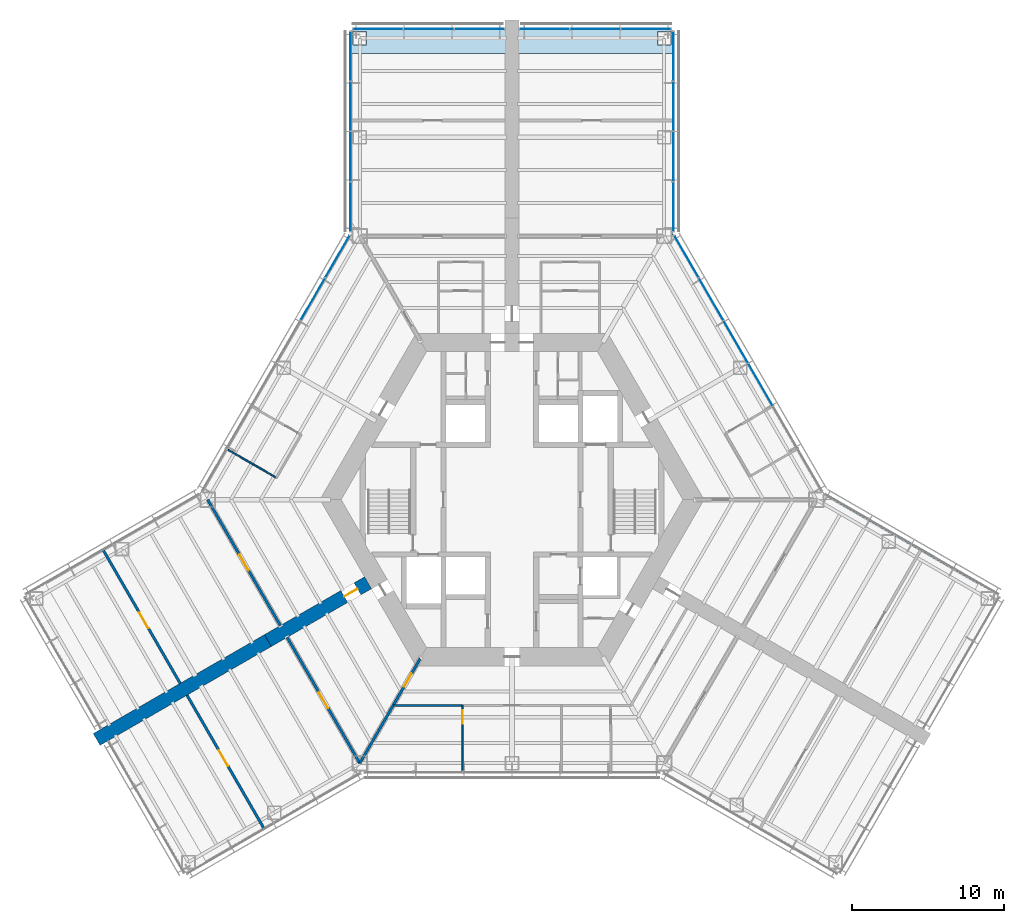
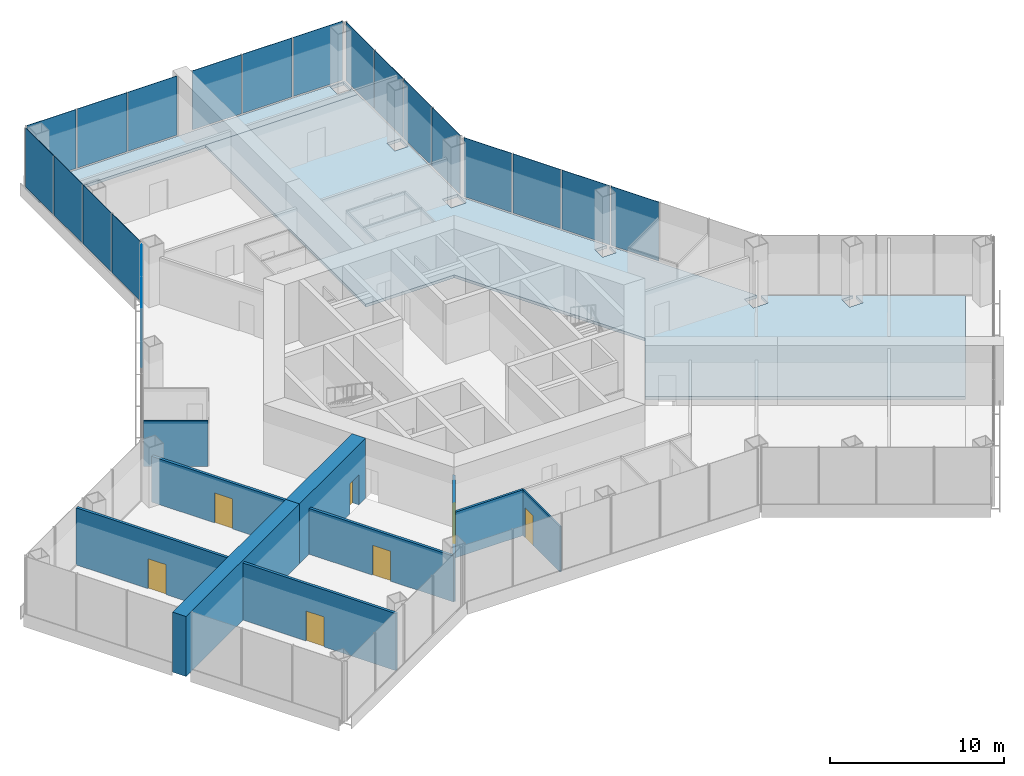
# One storey, part 10 of 16: 20 plates, 10 walls, 7 doors, 2 slabs, 7 openings, 6 elements without a shape of their own.
"""IFC4 building model written with IfcOpenShell, lengths in metres."""

from ifc_helpers import new_model, si_unit, direction, frame, frame_2d, origin, origin_2d, place, context, subcontext, project, spatial, polyline, rectangle, outline, extrude, material, layer, layer_set, type_object, element, fill, aggregate, save


model = new_model("IFC4")

# Units and contexts
model_context = context("Model", 3, precision=1e-05, world=origin(), true_north=direction((0.0, 1.0)))
body_context = subcontext(model_context, "Body", "Model", "MODEL_VIEW")
ifc_project = project(units=[si_unit("LENGTHUNIT", "METRE"), si_unit("AREAUNIT", "SQUARE_METRE"), si_unit("VOLUMEUNIT", "CUBIC_METRE"), si_unit("PLANEANGLEUNIT", "RADIAN"), si_unit("MASSUNIT", "GRAM", prefix="KILO")], contexts=[model_context])

# Site, building, storey
site_placement = place(None, origin())
site = spatial("IfcSite", under=ifc_project, at=site_placement, CompositionType="ELEMENT")
building_placement = place(site_placement, origin())
building = spatial("IfcBuilding", under=site, at=building_placement, Name="Kasaneha Research Tower", CompositionType="ELEMENT")
storey_placement = place(building_placement, frame((0.0, 0.0, 22.60009765625)))
storey = spatial("IfcBuildingStorey", under=building, at=storey_placement, Name="L06", CompositionType="ELEMENT", Elevation=22.60009765625)

# Curtain wall, plates
ifc_material_1 = material(Name="Glass and aluminium", Category="aluminium")
curtain_wall_type = type_object("IfcCurtainWallType", Name="Wet laboratory curtain wall", PredefinedType="USERDEFINED", material=ifc_material_1)
curtain_wall_1_placement = place(storey_placement, origin())
curtain_wall_1 = element("IfcCurtainWall", 1, at=curtain_wall_1_placement, inside=storey, type_object=curtain_wall_type, Name="CW-L1 L06 run 07a", ObjectType="UNITISED CURTAIN WALL", PredefinedType="USERDEFINED")
ifc_material_2 = material(Name="Laminated double glazing", Category="glass")
ifc_layer_1 = layer(ifc_material_2, 0.030029296875)
ifc_layer_set_1 = layer_set([ifc_layer_1], Name="CW-L1 glazed panel")
plate_type = type_object("IfcPlateType", Name="CW-L1 glazed panel", PredefinedType="CURTAIN_PANEL", material=ifc_layer_set_1)
plate_1_placement = place(storey_placement, frame((16.331298828125, 7.554443359375, 0.06494140625), z_axis=(0.0, 0.0, 1.0), x_axis=(-0.49999996188, 0.866025425793, 0.0)))
plate_1 = element("IfcPlate", 2, at=plate_1_placement, type_object=plate_type, Name="CW-L1 panel 3", PredefinedType="CURTAIN_PANEL", context=body_context, shape_type="SweptSolid", body=[
    extrude(rectangle(XDim=3.181396484375, YDim=0.030029296875, at=origin_2d()), origin(), (0.0, 0.0, 1.0), 4.135009765625),
])
plate_2_placement = place(storey_placement, frame((14.7080078125, 10.365966796875, 0.06494140625), z_axis=(0.0, 0.0, 1.0), x_axis=(-0.49999996188, 0.866025425793, 0.0)))
plate_2 = element("IfcPlate", 3, at=plate_2_placement, type_object=plate_type, Name="CW-L1 panel 4", PredefinedType="CURTAIN_PANEL", context=body_context, shape_type="SweptSolid", body=[
    extrude(rectangle(XDim=3.181396484375, YDim=0.030029296875, at=origin_2d()), origin(), (0.0, 0.0, 1.0), 4.135009765625),
])
plate_3_placement = place(storey_placement, frame((13.084716796875, 13.177490234375, 0.06494140625), z_axis=(0.0, 0.0, 1.0), x_axis=(-0.49999996188, 0.866025425793, 0.0)))
plate_3 = element("IfcPlate", 4, at=plate_3_placement, type_object=plate_type, Name="CW-L1 panel 5", PredefinedType="CURTAIN_PANEL", context=body_context, shape_type="SweptSolid", body=[
    extrude(rectangle(XDim=3.181396484375, YDim=0.030029296875, at=origin_2d()), origin(), (0.0, 0.0, 1.0), 4.135009765625),
])
plate_4_placement = place(storey_placement, frame((11.4697265625, 15.974853515625, 0.06494140625), z_axis=(0.0, 0.0, 1.0), x_axis=(-0.49999996188, 0.866025425793, 0.0)))
plate_4 = element("IfcPlate", 5, at=plate_4_placement, type_object=plate_type, Name="CW-L1 panel 6", PredefinedType="CURTAIN_PANEL", context=body_context, shape_type="SweptSolid", body=[
    extrude(rectangle(XDim=3.14892578125, YDim=0.030029296875, at=origin_2d()), origin(), (0.0, 0.0, 1.0), 4.135009765625),
])
aggregate(curtain_wall_1, [plate_1, plate_2, plate_3, plate_4])

curtain_wall_2_placement = place(storey_placement, origin())
curtain_wall_2 = element("IfcCurtainWall", 6, at=curtain_wall_2_placement, inside=storey, type_object=curtain_wall_type, Name="CW-L1 L06 run 08a", ObjectType="UNITISED CURTAIN WALL", PredefinedType="USERDEFINED")
plate_5_placement = place(storey_placement, frame((10.60009765625, 19.25244140625, 0.06494140625), z_axis=(0.0, 0.0, 1.0), x_axis=(0.0, 1.0, 0.0)))
plate_5 = element("IfcPlate", 7, at=plate_5_placement, type_object=plate_type, Name="CW-L1 panel 1", PredefinedType="CURTAIN_PANEL", context=body_context, shape_type="SweptSolid", body=[
    extrude(rectangle(XDim=3.21240234375, YDim=0.030029296875, at=origin_2d()), origin(), (0.0, 0.0, 1.0), 4.135009765625),
])
plate_6_placement = place(storey_placement, frame((10.60009765625, 22.5458984375, 0.06494140625), z_axis=(0.0, 0.0, 1.0), x_axis=(0.0, 1.0, 0.0)))
plate_6 = element("IfcPlate", 8, at=plate_6_placement, type_object=plate_type, Name="CW-L1 panel 2", PredefinedType="CURTAIN_PANEL", context=body_context, shape_type="SweptSolid", body=[
    extrude(rectangle(XDim=3.244873046875, YDim=0.030029296875, at=origin_2d()), origin(), (0.0, 0.0, 1.0), 4.135009765625),
])
plate_7_placement = place(storey_placement, frame((10.60009765625, 25.855712890625, 0.06494140625), z_axis=(0.0, 0.0, 1.0), x_axis=(0.0, 1.0, 0.0)))
plate_7 = element("IfcPlate", 9, at=plate_7_placement, type_object=plate_type, Name="CW-L1 panel 3", PredefinedType="CURTAIN_PANEL", context=body_context, shape_type="SweptSolid", body=[
    extrude(rectangle(XDim=3.244873046875, YDim=0.030029296875, at=origin_2d()), origin(), (0.0, 0.0, 1.0), 4.135009765625),
])
plate_8_placement = place(storey_placement, frame((10.60009765625, 29.1494140625, 0.06494140625), z_axis=(0.0, 0.0, 1.0), x_axis=(0.0, 1.0, 0.0)))
plate_8 = element("IfcPlate", 10, at=plate_8_placement, type_object=plate_type, Name="CW-L1 panel 4", PredefinedType="CURTAIN_PANEL", context=body_context, shape_type="SweptSolid", body=[
    extrude(rectangle(XDim=3.21240234375, YDim=0.030029296875, at=origin_2d()), origin(), (0.0, 0.0, 1.0), 4.135009765625),
])
aggregate(curtain_wall_2, [plate_5, plate_6, plate_7, plate_8])

curtain_wall_3_placement = place(storey_placement, origin())
curtain_wall_3 = element("IfcCurtainWall", 11, at=curtain_wall_3_placement, inside=storey, type_object=curtain_wall_type, Name="CW-L1 L06 run 09a", ObjectType="UNITISED CURTAIN WALL", PredefinedType="USERDEFINED")
plate_9_placement = place(storey_placement, frame((8.808837890625, 30.92041015625, 0.06494140625), z_axis=(0.0, 0.0, 1.0), x_axis=(-1.0, 0.0, 0.0)))
plate_9 = element("IfcPlate", 12, at=plate_9_placement, type_object=plate_type, Name="CW-L1 panel 1", PredefinedType="CURTAIN_PANEL", context=body_context, shape_type="SweptSolid", body=[
    extrude(rectangle(XDim=3.25244140625, YDim=0.030029296875, at=origin_2d()), origin(), (0.0, 0.0, 1.0), 4.135009765625),
])
plate_10_placement = place(storey_placement, frame((5.47509765625, 30.92041015625, 0.06494140625), z_axis=(0.0, 0.0, 1.0), x_axis=(-1.0, 0.0, 0.0)))
plate_10 = element("IfcPlate", 13, at=plate_10_placement, type_object=plate_type, Name="CW-L1 panel 2", PredefinedType="CURTAIN_PANEL", context=body_context, shape_type="SweptSolid", body=[
    extrude(rectangle(XDim=3.284912109375, YDim=0.030029296875, at=origin_2d()), origin(), (0.0, 0.0, 1.0), 4.135009765625),
])
plate_11_placement = place(storey_placement, frame((2.141357421875, 30.92041015625, 0.06494140625), z_axis=(0.0, 0.0, 1.0), x_axis=(-1.0, 0.0, 0.0)))
plate_11 = element("IfcPlate", 14, at=plate_11_placement, type_object=plate_type, Name="CW-L1 panel 3", PredefinedType="CURTAIN_PANEL", context=body_context, shape_type="SweptSolid", body=[
    extrude(rectangle(XDim=3.25244140625, YDim=0.030029296875, at=origin_2d()), origin(), (0.0, 0.0, 1.0), 4.135009765625),
])
aggregate(curtain_wall_3, [plate_9, plate_10, plate_11])

curtain_wall_4_placement = place(storey_placement, origin())
curtain_wall_4 = element("IfcCurtainWall", 15, at=curtain_wall_4_placement, inside=storey, type_object=curtain_wall_type, Name="CW-L1 L06 run 10a", ObjectType="UNITISED CURTAIN WALL", PredefinedType="USERDEFINED")
plate_12_placement = place(storey_placement, frame((-2.141357421875, 30.92041015625, 0.06494140625), z_axis=(0.0, 0.0, 1.0), x_axis=(-1.0, 0.0, 0.0)))
plate_12 = element("IfcPlate", 16, at=plate_12_placement, type_object=plate_type, Name="CW-L1 panel 1", PredefinedType="CURTAIN_PANEL", context=body_context, shape_type="SweptSolid", body=[
    extrude(rectangle(XDim=3.25244140625, YDim=0.030029296875, at=origin_2d()), origin(), (0.0, 0.0, 1.0), 4.135009765625),
])
plate_13_placement = place(storey_placement, frame((-5.47509765625, 30.92041015625, 0.06494140625), z_axis=(0.0, 0.0, 1.0), x_axis=(-1.0, 0.0, 0.0)))
plate_13 = element("IfcPlate", 17, at=plate_13_placement, type_object=plate_type, Name="CW-L1 panel 2", PredefinedType="CURTAIN_PANEL", context=body_context, shape_type="SweptSolid", body=[
    extrude(rectangle(XDim=3.284912109375, YDim=0.030029296875, at=origin_2d()), origin(), (0.0, 0.0, 1.0), 4.135009765625),
])
plate_14_placement = place(storey_placement, frame((-8.808837890625, 30.92041015625, 0.06494140625), z_axis=(0.0, 0.0, 1.0), x_axis=(-1.0, 0.0, 0.0)))
plate_14 = element("IfcPlate", 18, at=plate_14_placement, type_object=plate_type, Name="CW-L1 panel 3", PredefinedType="CURTAIN_PANEL", context=body_context, shape_type="SweptSolid", body=[
    extrude(rectangle(XDim=3.25244140625, YDim=0.030029296875, at=origin_2d()), origin(), (0.0, 0.0, 1.0), 4.135009765625),
])
aggregate(curtain_wall_4, [plate_12, plate_13, plate_14])

curtain_wall_5_placement = place(storey_placement, origin())
curtain_wall_5 = element("IfcCurtainWall", 19, at=curtain_wall_5_placement, inside=storey, type_object=curtain_wall_type, Name="CW-L1 L06 run 11a", ObjectType="UNITISED CURTAIN WALL", PredefinedType="USERDEFINED")
plate_15_placement = place(storey_placement, frame((-10.60009765625, 29.1494140625, 0.06494140625), z_axis=(0.0, 0.0, 1.0), x_axis=(0.0, -1.0, 0.0)))
plate_15 = element("IfcPlate", 20, at=plate_15_placement, type_object=plate_type, Name="CW-L1 panel 1", PredefinedType="CURTAIN_PANEL", context=body_context, shape_type="SweptSolid", body=[
    extrude(rectangle(XDim=3.21240234375, YDim=0.030029296875, at=origin_2d()), origin(), (0.0, 0.0, 1.0), 4.135009765625),
])
plate_16_placement = place(storey_placement, frame((-10.60009765625, 25.855712890625, 0.06494140625), z_axis=(0.0, 0.0, 1.0), x_axis=(0.0, -1.0, 0.0)))
plate_16 = element("IfcPlate", 21, at=plate_16_placement, type_object=plate_type, Name="CW-L1 panel 2", PredefinedType="CURTAIN_PANEL", context=body_context, shape_type="SweptSolid", body=[
    extrude(rectangle(XDim=3.244873046875, YDim=0.030029296875, at=origin_2d()), origin(), (0.0, 0.0, 1.0), 4.135009765625),
])
plate_17_placement = place(storey_placement, frame((-10.60009765625, 22.5458984375, 0.06494140625), z_axis=(0.0, 0.0, 1.0), x_axis=(0.0, -1.0, 0.0)))
plate_17 = element("IfcPlate", 22, at=plate_17_placement, type_object=plate_type, Name="CW-L1 panel 3", PredefinedType="CURTAIN_PANEL", context=body_context, shape_type="SweptSolid", body=[
    extrude(rectangle(XDim=3.244873046875, YDim=0.030029296875, at=origin_2d()), origin(), (0.0, 0.0, 1.0), 4.135009765625),
])
plate_18_placement = place(storey_placement, frame((-10.60009765625, 19.25244140625, 0.06494140625), z_axis=(0.0, 0.0, 1.0), x_axis=(0.0, -1.0, 0.0)))
plate_18 = element("IfcPlate", 23, at=plate_18_placement, type_object=plate_type, Name="CW-L1 panel 4", PredefinedType="CURTAIN_PANEL", context=body_context, shape_type="SweptSolid", body=[
    extrude(rectangle(XDim=3.21240234375, YDim=0.030029296875, at=origin_2d()), origin(), (0.0, 0.0, 1.0), 4.135009765625),
])
aggregate(curtain_wall_5, [plate_15, plate_16, plate_17, plate_18])

curtain_wall_6_placement = place(storey_placement, origin())
curtain_wall_6 = element("IfcCurtainWall", 24, at=curtain_wall_6_placement, inside=storey, type_object=curtain_wall_type, Name="CW-L1 L06 run 12a", ObjectType="UNITISED CURTAIN WALL", PredefinedType="USERDEFINED")
plate_19_placement = place(storey_placement, frame((-11.4697265625, 15.974853515625, 0.06494140625), z_axis=(0.0, 0.0, 1.0), x_axis=(-0.49999996188, -0.866025425793, 0.0)))
plate_19 = element("IfcPlate", 25, at=plate_19_placement, type_object=plate_type, Name="CW-L1 panel 1", PredefinedType="CURTAIN_PANEL", context=body_context, shape_type="SweptSolid", body=[
    extrude(rectangle(XDim=3.14892578125, YDim=0.030029296875, at=origin_2d()), origin(), (0.0, 0.0, 1.0), 4.135009765625),
])
plate_20_placement = place(storey_placement, frame((-13.084716796875, 13.177490234375, 0.06494140625), z_axis=(0.0, 0.0, 1.0), x_axis=(-0.49999996188, -0.866025425793, 0.0)))
plate_20 = element("IfcPlate", 26, at=plate_20_placement, type_object=plate_type, Name="CW-L1 panel 2", PredefinedType="CURTAIN_PANEL", context=body_context, shape_type="SweptSolid", body=[
    extrude(rectangle(XDim=3.181396484375, YDim=0.030029296875, at=origin_2d()), origin(), (0.0, 0.0, 1.0), 4.135009765625),
])
aggregate(curtain_wall_6, [plate_19, plate_20])

# Slabs
ifc_material_3 = material(Name="Concrete Fc24", Category="concrete")
ifc_layer_2 = layer(ifc_material_3, 0.199951171875)
ifc_layer_set_2 = layer_set([ifc_layer_2], Name="Floor slab 200")
slab_type = type_object("IfcSlabType", Name="Floor slab 200", PredefinedType="FLOOR", material=ifc_layer_set_2)
slab_1_placement = place(storey_placement, frame((0.0, 0.0, -0.2001953125)))
element("IfcSlab", 27, at=slab_1_placement, inside=storey, type_object=slab_type, Name="Floor slab L06 3", PredefinedType="FLOOR", context=body_context, shape_type="SweptSolid", body=[
    extrude(outline(polyline([(10.550048828125, 29.310546875), (0.449951171875, 29.310546875), (0.449951171875, 29.320556640625), (-0.449951171875, 29.320556640625), (-0.449951171875, 29.310546875), (-10.550048828125, 29.310546875), (-10.550048828125, 30.87060546875), (10.550048828125, 30.87060546875), (10.550048828125, 29.310546875)]), holes=[polyline([(-9.550048828125, 29.87060546875), (-9.550048828125, 30.7705078125), (-10.449951171875, 30.7705078125), (-10.449951171875, 29.87060546875), (-9.550048828125, 29.87060546875)]), polyline([(9.550048828125, 29.87060546875), (10.449951171875, 29.87060546875), (10.449951171875, 30.7705078125), (9.550048828125, 30.7705078125), (9.550048828125, 29.87060546875)])]), origin(), (0.0, 0.0, 1.0), 0.2001953125),
])
slab_2_placement = place(storey_placement, frame((0.0, 0.0, -0.2001953125)))
element("IfcSlab", 28, at=slab_2_placement, inside=storey, type_object=slab_type, Name="Floor slab L06 5", PredefinedType="FLOOR", context=body_context, shape_type="SweptSolid", body=[
    extrude(outline(polyline([(9.686279296875, -5.07275390625), (12.614990234375, 0.0), (6.3076171875, 10.925048828125), (0.449951171875, 10.925048828125), (0.449951171875, 29.310546875), (10.550048828125, 29.310546875), (10.550048828125, 17.4677734375), (15.375244140625, 9.1103515625), (14.550048828125, 9.1103515625), (14.550048828125, 8.210205078125), (15.449951171875, 8.210205078125), (15.449951171875, 8.980712890625), (20.346435546875, 0.5), (19.5, 0.5), (19.5, -0.5), (20.5, -0.5), (20.5, 0.346435546875), (25.083740234375, -2.300048828125), (24.313232421875, -2.300048828125), (24.313232421875, -3.199951171875), (25.213134765625, -3.199951171875), (25.213134765625, -2.374755859375), (30.65869140625, -5.518798828125), (25.608642578125, -14.265625), (9.686279296875, -5.07275390625)]), holes=[polyline([(9.5, 16.820556640625), (10.5, 16.820556640625), (10.5, 17.820556640625), (9.5, 17.820556640625), (9.5, 16.820556640625)]), polyline([(9.550048828125, 23.37060546875), (10.449951171875, 23.37060546875), (10.449951171875, 24.2705078125), (9.550048828125, 24.2705078125), (9.550048828125, 23.37060546875)])]), origin(), (0.0, 0.0, 1.0), 0.2001953125),
])

# Wall, opening, door
ifc_material_4 = material(Name="Gypsum board on steel studs, two layers each side", Category="steel")
ifc_layer_3 = layer(ifc_material_4, 0.175048828125)
ifc_layer_set_3 = layer_set([ifc_layer_3], Name="Laboratory fire partition 175")
wall_type_1 = type_object("IfcWallType", Name="Laboratory fire partition 175", PredefinedType="PARTITIONING", material=ifc_layer_set_3)
wall_1_placement = place(storey_placement, frame((-15.22509765625, -8.2705078125, 0.0), z_axis=(0.0, 0.0, 1.0), x_axis=(-0.499993908199, 0.866028920859, 0.0)))
wall_1 = element("IfcWall", 29, at=wall_1_placement, inside=storey, type_object=wall_type_1, Name="Laboratory fire partition LABB-N L06", PredefinedType="PARTITIONING", context=body_context, shape_type="SweptSolid", body=[
    extrude(rectangle(XDim=9.5498046875, YDim=0.175048828125, at=frame_2d((4.77490234375, 0.0))), origin(), (0.0, 0.0, 1.0), 3.2080078125),
])
opening_1_placement = place(wall_1_placement, frame((4.175048828125, 0.0, 0.0)))
opening_1 = element("IfcOpeningElement", 30, at=opening_1_placement, cuts=wall_1, Name="Opening L06-D37", PredefinedType="OPENING", context=body_context, shape_type="SweptSolid", body=[
    extrude(rectangle(XDim=1.199951171875, YDim=2.10009765625, at=frame_2d((0.60009765625, 1.050048828125))), frame((0.0, 0.09765625, 0.0), z_axis=(0.0, -1.0, 0.0), x_axis=(1.0, 0.0, 0.0)), (0.0, 0.0, 1.0), 0.195068359375),
])
ifc_material_5 = material(Name="Steel", Category="steel")
door_type_1 = type_object("IfcDoorType", Name="Laboratory door FD60 1200x2100", OperationType="DOUBLE_DOOR_SINGLE_SWING", PredefinedType="DOOR", material=ifc_material_5)
door_1_placement = place(opening_1_placement, origin())
door_1 = element("IfcDoor", 31, at=door_1_placement, inside=storey, type_object=door_type_1, Name="Laboratory door L06-D37", OperationType="DOUBLE_DOOR_SINGLE_SWING", OverallHeight=2.10009765625, OverallWidth=1.199951171875, PredefinedType="DOOR", context=body_context, shape_type="SweptSolid", body=[
    extrude(rectangle(XDim=1.199951171875, YDim=2.10009765625, at=frame_2d((0.60009765625, 1.050048828125))), frame((0.0, 0.02490234375, 0.0), z_axis=(0.0, -1.0, 0.0), x_axis=(1.0, 0.0, 0.0)), (0.0, 0.0, 1.0), 0.050048828125),
])
fill(opening_1, door_1)

wall_2_placement = place(storey_placement, frame((-21.806884765625, -12.070556640625, 0.0), z_axis=(0.0, 0.0, 1.0), x_axis=(-0.499994227129, 0.866028736727, 0.0)))
wall_2 = element("IfcWall", 32, at=wall_2_placement, inside=storey, type_object=wall_type_1, Name="Laboratory fire partition SUPB-N L06", PredefinedType="PARTITIONING", context=body_context, shape_type="SweptSolid", body=[
    extrude(rectangle(XDim=10.134765625, YDim=0.175048828125, at=frame_2d((5.0673828125, 0.0))), origin(), (0.0, 0.0, 1.0), 4.0),
])
opening_2_placement = place(wall_2_placement, frame((4.175048828125, 0.0, 0.0)))
opening_2 = element("IfcOpeningElement", 33, at=opening_2_placement, cuts=wall_2, Name="Opening L06-D39", PredefinedType="OPENING", context=body_context, shape_type="SweptSolid", body=[
    extrude(rectangle(XDim=1.199951171875, YDim=2.10009765625, at=frame_2d((0.60009765625, 1.050048828125))), frame((0.0, 0.09765625, 0.0), z_axis=(0.0, -1.0, 0.0), x_axis=(1.0, 0.0, 0.0)), (0.0, 0.0, 1.0), 0.195068359375),
])
door_2_placement = place(opening_2_placement, origin())
door_2 = element("IfcDoor", 34, at=door_2_placement, inside=storey, type_object=door_type_1, Name="Laboratory support room door L06-D39", OperationType="DOUBLE_DOOR_SINGLE_SWING", OverallHeight=2.10009765625, OverallWidth=1.199951171875, PredefinedType="DOOR", context=body_context, shape_type="SweptSolid", body=[
    extrude(rectangle(XDim=1.199951171875, YDim=2.10009765625, at=frame_2d((0.60009765625, 1.050048828125))), frame((0.0, 0.02490234375, 0.0), z_axis=(0.0, -1.0, 0.0), x_axis=(1.0, 0.0, 0.0)), (0.0, 0.0, 1.0), 0.050048828125),
])
fill(opening_2, door_2)

wall_3_placement = place(storey_placement, frame((-14.77490234375, -9.050048828125, 0.0), z_axis=(0.0, 0.0, 1.0), x_axis=(0.499993908199, -0.866028920859, 0.0)))
wall_3 = element("IfcWall", 35, at=wall_3_placement, inside=storey, type_object=wall_type_1, Name="Laboratory fire partition LABB-S L06", PredefinedType="PARTITIONING", context=body_context, shape_type="SweptSolid", body=[
    extrude(rectangle(XDim=9.5498046875, YDim=0.175048828125, at=frame_2d((4.77490234375, 0.0))), origin(), (0.0, 0.0, 1.0), 3.2080078125),
])
opening_3_placement = place(wall_3_placement, frame((4.175048828125, 0.0, 0.0)))
opening_3 = element("IfcOpeningElement", 36, at=opening_3_placement, cuts=wall_3, Name="Opening L06-D40", PredefinedType="OPENING", context=body_context, shape_type="SweptSolid", body=[
    extrude(rectangle(XDim=1.199951171875, YDim=2.10009765625, at=frame_2d((0.60009765625, 1.050048828125))), frame((0.0, 0.09765625, 0.0), z_axis=(0.0, -1.0, 0.0), x_axis=(1.0, 0.0, 0.0)), (0.0, 0.0, 1.0), 0.195068359375),
])
door_3_placement = place(opening_3_placement, origin())
door_3 = element("IfcDoor", 37, at=door_3_placement, inside=storey, type_object=door_type_1, Name="Laboratory door L06-D40", OperationType="DOUBLE_DOOR_SINGLE_SWING", OverallHeight=2.10009765625, OverallWidth=1.199951171875, PredefinedType="DOOR", context=body_context, shape_type="SweptSolid", body=[
    extrude(rectangle(XDim=1.199951171875, YDim=2.10009765625, at=frame_2d((0.60009765625, 1.050048828125))), frame((0.0, 0.02490234375, 0.0), z_axis=(0.0, -1.0, 0.0), x_axis=(1.0, 0.0, 0.0)), (0.0, 0.0, 1.0), 0.050048828125),
])
fill(opening_3, door_3)

wall_4_placement = place(storey_placement, frame((-21.356689453125, -12.849853515625, 0.0), z_axis=(0.0, 0.0, 1.0), x_axis=(0.499987145745, -0.866032825065, 0.0)))
wall_4 = element("IfcWall", 38, at=wall_4_placement, inside=storey, type_object=wall_type_1, Name="Laboratory fire partition SUPB-S L06", PredefinedType="PARTITIONING", context=body_context, shape_type="SweptSolid", body=[
    extrude(rectangle(XDim=10.139892578125, YDim=0.175048828125, at=frame_2d((5.06982421875, 0.0))), origin(), (0.0, 0.0, 1.0), 4.0),
])
opening_4_placement = place(wall_4_placement, frame((4.175048828125, 0.0, 0.0)))
opening_4 = element("IfcOpeningElement", 39, at=opening_4_placement, cuts=wall_4, Name="Opening L06-D41", PredefinedType="OPENING", context=body_context, shape_type="SweptSolid", body=[
    extrude(rectangle(XDim=1.199951171875, YDim=2.10009765625, at=frame_2d((0.60009765625, 1.050048828125))), frame((0.0, 0.09765625, 0.0), z_axis=(0.0, -1.0, 0.0), x_axis=(1.0, 0.0, 0.0)), (0.0, 0.0, 1.0), 0.195068359375),
])
door_4_placement = place(opening_4_placement, origin())
door_4 = element("IfcDoor", 40, at=door_4_placement, inside=storey, type_object=door_type_1, Name="Laboratory support room door L06-D41", OperationType="DOUBLE_DOOR_SINGLE_SWING", OverallHeight=2.10009765625, OverallWidth=1.199951171875, PredefinedType="DOOR", context=body_context, shape_type="SweptSolid", body=[
    extrude(rectangle(XDim=1.199951171875, YDim=2.10009765625, at=frame_2d((0.60009765625, 1.050048828125))), frame((0.0, 0.02490234375, 0.0), z_axis=(0.0, -1.0, 0.0), x_axis=(1.0, 0.0, 0.0)), (0.0, 0.0, 1.0), 0.050048828125),
])
fill(opening_4, door_4)

# Wall
ifc_material_6 = material(Name="Gypsum board on steel studs, one layer each side", Category="steel")
ifc_layer_4 = layer(ifc_material_6, 0.10009765625)
ifc_layer_set_4 = layer_set([ifc_layer_4], Name="Office partition 100")
wall_type_2 = type_object("IfcWallType", Name="Office partition 100", PredefinedType="PARTITIONING", material=ifc_layer_set_4)
wall_5_placement = place(storey_placement, frame((-15.47509765625, 1.437255859375, 0.0), z_axis=(0.0, 0.0, 1.0), x_axis=(-0.866017659399, 0.500013413428, 0.0)))
element("IfcWall", 41, at=wall_5_placement, inside=storey, type_object=wall_type_2, Name="Office partition FBN02 L06", PredefinedType="PARTITIONING", context=body_context, shape_type="SweptSolid", body=[
    extrude(rectangle(XDim=3.68017578125, YDim=0.10009765625, at=frame_2d((1.840087890625, 0.0))), origin(), (0.0, 0.0, 1.0), 3.199951171875),
])

# Wall, opening, door
wall_6_placement = place(storey_placement, frame((-3.2509765625, -13.52490234375, 0.0), z_axis=(0.0, 0.0, 1.0), x_axis=(0.001076120809, -0.999999420982, 0.0)))
wall_6 = element("IfcWall", 42, at=wall_6_placement, inside=storey, type_object=wall_type_2, Name="Office partition FCS06 L06", PredefinedType="PARTITIONING", context=body_context, shape_type="SweptSolid", body=[
    extrude(rectangle(XDim=4.310546875, YDim=0.10009765625, at=frame_2d((2.1552734375, 0.0))), origin(), (0.0, 0.0, 1.0), 3.199951171875),
])
opening_5_placement = place(wall_6_placement, frame((0.300048828125, 0.0, 0.0)))
opening_5 = element("IfcOpeningElement", 43, at=opening_5_placement, cuts=wall_6, Name="Opening L06-D47", PredefinedType="OPENING", context=body_context, shape_type="SweptSolid", body=[
    extrude(rectangle(XDim=0.89990234375, YDim=2.10009765625, at=frame_2d((0.449951171875, 1.050048828125))), frame((0.0, 0.06005859375, 0.0), z_axis=(0.0, -1.0, 0.0), x_axis=(1.0, 0.0, 0.0)), (0.0, 0.0, 1.0), 0.1201171875),
])
ifc_material_7 = material(Name="Timber veneer", Category="wood")
door_type_2 = type_object("IfcDoorType", Name="Office door 900x2100", OperationType="SINGLE_SWING_LEFT", PredefinedType="DOOR", material=ifc_material_7)
door_5_placement = place(opening_5_placement, origin())
door_5 = element("IfcDoor", 44, at=door_5_placement, inside=storey, type_object=door_type_2, Name="Principal investigator office door L06-D47", OperationType="SINGLE_SWING_LEFT", OverallHeight=2.10009765625, OverallWidth=0.89990234375, PredefinedType="DOOR", context=body_context, shape_type="SweptSolid", body=[
    extrude(rectangle(XDim=0.89990234375, YDim=2.10009765625, at=frame_2d((0.449951171875, 1.050048828125))), frame((0.0, 0.02490234375, 0.0), z_axis=(0.0, -1.0, 0.0), x_axis=(1.0, 0.0, 0.0)), (0.0, 0.0, 1.0), 0.050048828125),
])
fill(opening_5, door_5)

ifc_material_8 = material(Name="Concrete Fc100", Category="concrete")
ifc_layer_5 = layer(ifc_material_8, 0.89990234375)
ifc_layer_set_5 = layer_set([ifc_layer_5], Name="Spine wall 900 Fc100")
wall_type_3 = type_object("IfcWallType", Name="Spine wall 900 Fc100", PredefinedType="SHEAR", material=ifc_layer_set_5)
wall_7_placement = place(storey_placement, frame((-9.46142578125, -5.46240234375, 0.0), z_axis=(0.0, 0.0, 1.0), x_axis=(-0.866019116917, -0.500010889016, 0.0)))
wall_7 = element("IfcWall", 45, at=wall_7_placement, inside=storey, type_object=wall_type_3, Name="Spine wall B L06", PredefinedType="SHEAR", context=body_context, shape_type="SweptSolid", body=[
    extrude(rectangle(XDim=7.595458984375, YDim=0.89990234375, at=frame_2d((3.7978515625, 0.0))), origin(), (0.0, 0.0, 1.0), 4.199951171875),
])
opening_6_placement = place(wall_7_placement, frame((0.800048828125, 0.0, 0.0)))
opening_6 = element("IfcOpeningElement", 46, at=opening_6_placement, cuts=wall_7, Name="Opening L06-D18", PredefinedType="OPENING", context=body_context, shape_type="SweptSolid", body=[
    extrude(rectangle(XDim=1.0, YDim=2.10009765625, at=frame_2d((0.5, 1.050048828125))), frame((0.0, 0.4599609375, 0.0), z_axis=(0.0, -1.0, 0.0), x_axis=(1.0, 0.0, 0.0)), (0.0, 0.0, 1.0), 0.919921875),
])
ifc_material_9 = material(Name="Steel", Category="steel")
door_type_3 = type_object("IfcDoorType", Name="Specified fire door FD60 1000x2100", OperationType="NOTDEFINED", PredefinedType="DOOR", material=ifc_material_9)
door_6_placement = place(opening_6_placement, origin())
door_6 = element("IfcDoor", 47, at=door_6_placement, inside=storey, type_object=door_type_3, Name="Spine doorway B L06-D18", OperationType="SINGLE_SWING_LEFT", OverallHeight=2.10009765625, OverallWidth=1.0, PredefinedType="DOOR", context=body_context, shape_type="SweptSolid", body=[
    extrude(rectangle(XDim=1.0, YDim=2.10009765625, at=frame_2d((0.5, 1.050048828125))), frame((0.0, 0.02490234375, 0.0), z_axis=(0.0, -1.0, 0.0), x_axis=(1.0, 0.0, 0.0)), (0.0, 0.0, 1.0), 0.050048828125),
])
fill(opening_6, door_6)

# Walls
wall_8_placement = place(storey_placement, frame((-16.039306640625, -9.26025390625, 0.0), z_axis=(0.0, 0.0, 1.0), x_axis=(-0.866024837091, -0.50000098154, 0.0)))
element("IfcWall", 48, at=wall_8_placement, inside=storey, type_object=wall_type_3, Name="Spine wall B wing L06", PredefinedType="SHEAR", context=body_context, shape_type="SweptSolid", body=[
    extrude(rectangle(XDim=13.0, YDim=0.89990234375, at=frame_2d((6.5, 0.0))), origin(), (0.0, 0.0, 1.0), 4.199951171875),
])
ifc_material_10 = material(Name="Gypsum board on steel studs, two layers each side", Category="steel")
ifc_layer_6 = layer(ifc_material_10, 0.14990234375)
ifc_layer_set_6 = layer_set([ifc_layer_6], Name="Suite partition 150")
wall_type_4 = type_object("IfcWallType", Name="Suite partition 150", PredefinedType="PARTITIONING", material=ifc_layer_set_6)
wall_9_placement = place(storey_placement, frame((-3.241455078125, -13.52490234375, 0.0), z_axis=(0.0, 0.0, 1.0), x_axis=(-1.0, 0.0, 0.0)))
element("IfcWall", 49, at=wall_9_placement, inside=storey, type_object=wall_type_4, Name="Suite partition FCS01 L06", PredefinedType="PARTITIONING", context=body_context, shape_type="SweptSolid", body=[
    extrude(rectangle(XDim=4.544189453125, YDim=0.14990234375, at=frame_2d((2.27197265625, 0.0))), origin(), (0.0, 0.0, 1.0), 3.199951171875),
])

# Wall, opening, door
ifc_material_11 = material(Name="Gypsum board on steel studs, two layers each side", Category="steel")
ifc_layer_7 = layer(ifc_material_11, 0.175048828125)
ifc_layer_set_7 = layer_set([ifc_layer_7], Name="Tenancy fire partition 175")
wall_type_5 = type_object("IfcWallType", Name="Tenancy fire partition 175", PredefinedType="PARTITIONING", material=ifc_layer_set_7)
wall_10_placement = place(storey_placement, frame((-6.03515625, -10.453125, 0.0), z_axis=(0.0, 0.0, 1.0), x_axis=(-0.499993402427, -0.866029212861, 0.0)))
wall_10 = element("IfcWall", 50, at=wall_10_placement, inside=storey, type_object=wall_type_5, Name="Tenancy fire partition T240 L06", PredefinedType="PARTITIONING", context=body_context, shape_type="SweptSolid", body=[
    extrude(outline(polyline([(-0.050537109375, -0.08740234375), (1.12939453125, -0.08740234375), (2.12939453125, -0.08740234375), (7.9296875, -0.08740234375), (7.9296875, 0.08740234375), (2.12939453125, 0.08740234375), (1.12939453125, 0.08740234375), (0.050537109375, 0.08740234375), (-0.050537109375, -0.08740234375)])), origin(), (0.0, 0.0, 1.0), 3.2998046875),
])
opening_7_placement = place(wall_10_placement, frame((1.12939453125, 0.0, 0.0)))
opening_7 = element("IfcOpeningElement", 51, at=opening_7_placement, cuts=wall_10, Name="Opening L06-D27", PredefinedType="OPENING", context=body_context, shape_type="SweptSolid", body=[
    extrude(rectangle(XDim=1.0, YDim=2.10009765625, at=frame_2d((0.5, 1.050048828125))), frame((0.0, 0.09765625, 0.0), z_axis=(0.0, -1.0, 0.0), x_axis=(1.0, 0.0, 0.0)), (0.0, 0.0, 1.0), 0.195068359375),
])
ifc_material_12 = material(Name="Steel", Category="steel")
door_type_4 = type_object("IfcDoorType", Name="Suite entrance door FD60 1000x2100", OperationType="NOTDEFINED", PredefinedType="DOOR", material=ifc_material_12)
door_7_placement = place(opening_7_placement, origin())
door_7 = element("IfcDoor", 52, at=door_7_placement, inside=storey, type_object=door_type_4, Name="Connecting door L06-D27", OperationType="SINGLE_SWING_LEFT", OverallHeight=2.10009765625, OverallWidth=1.0, PredefinedType="DOOR", context=body_context, shape_type="SweptSolid", body=[
    extrude(rectangle(XDim=1.0, YDim=2.10009765625, at=frame_2d((0.5, 1.050048828125))), frame((0.0, 0.02490234375, 0.0), z_axis=(0.0, -1.0, 0.0), x_axis=(1.0, 0.0, 0.0)), (0.0, 0.0, 1.0), 0.050048828125),
])
fill(opening_7, door_7)

save(model, "model.ifc")
